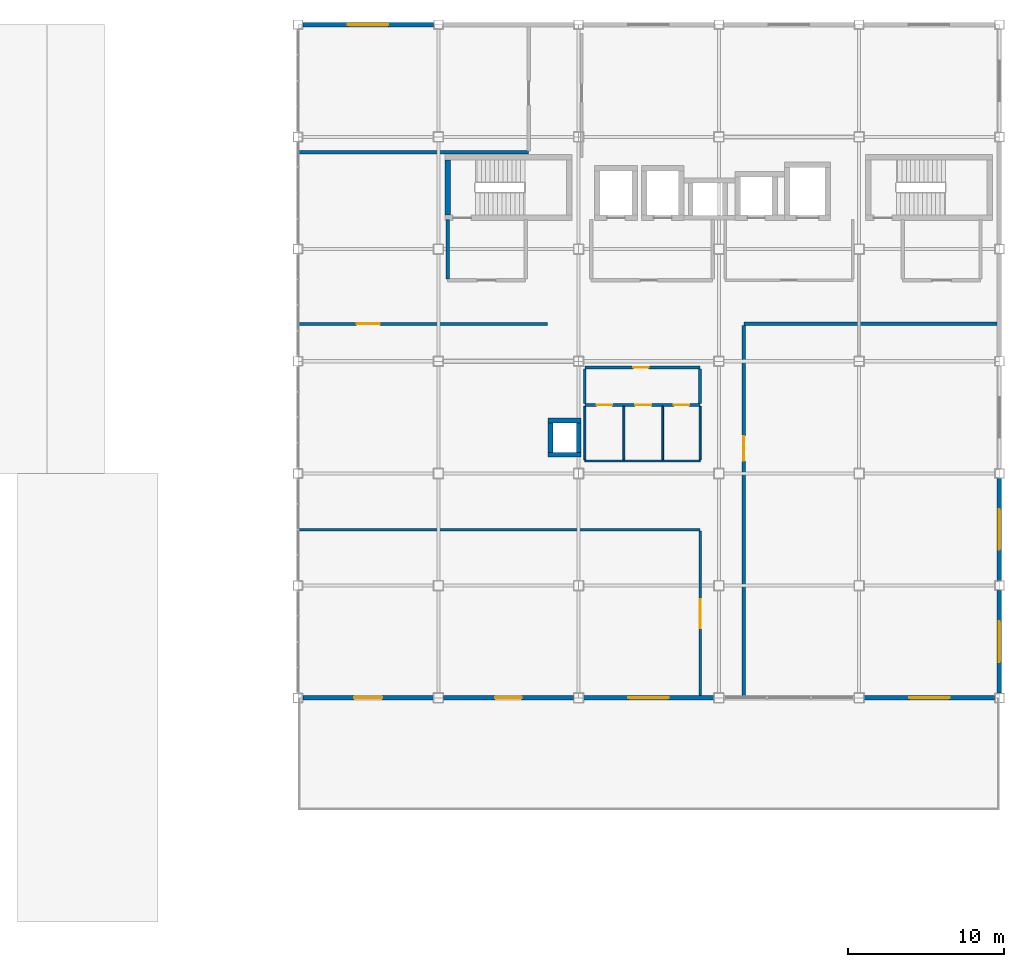
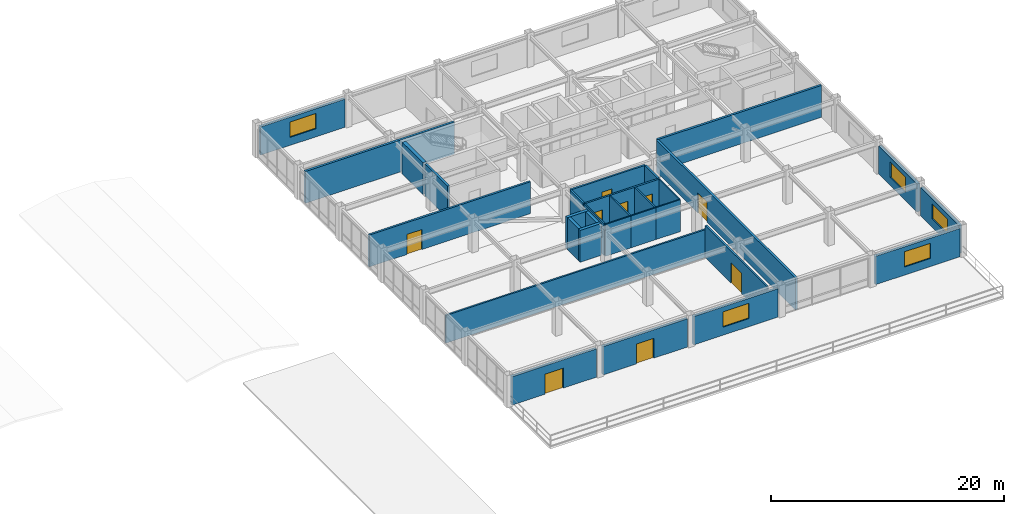
# One storey, part 28 of 34: 30 walls, 9 doors, 5 windows, 14 openings.
"""IFC4 building model written with IfcOpenShell, lengths in metres."""

from ifc_helpers import new_model, si_unit, direction, frame, frame_2d, origin, place, context, subcontext, project, spatial, rectangle, extrude, material, layer, layer_set, type_object, element, fill, save


model = new_model("IFC4")

# Units and contexts
model_context = context("Model", 3, precision=1e-05, world=origin(), true_north=direction((0.0, 1.0)))
body_context = subcontext(model_context, "Body", "Model", "MODEL_VIEW")
ifc_project = project(units=[si_unit("LENGTHUNIT", "METRE"), si_unit("AREAUNIT", "SQUARE_METRE"), si_unit("VOLUMEUNIT", "CUBIC_METRE"), si_unit("PLANEANGLEUNIT", "RADIAN"), si_unit("MASSUNIT", "GRAM", prefix="KILO")], contexts=[model_context])

# Site, building, storey
site_placement = place(None, origin())
site = spatial("IfcSite", under=ifc_project, at=site_placement, CompositionType="ELEMENT")
building_placement = place(site_placement, origin())
building = spatial("IfcBuilding", under=site, at=building_placement, Name="Kazanami Central Library", CompositionType="ELEMENT")
storey_placement = place(building_placement, frame((0.0, 0.0, 17.0)))
storey = spatial("IfcBuildingStorey", under=building, at=storey_placement, Name="L05", CompositionType="ELEMENT", Elevation=17.0)

# Wall, opening, door
ifc_material_1 = material(Name="Concrete Fc36 (36 MPa)", Category="concrete")
ifc_layer_1 = layer(ifc_material_1, 0.199951171875, Name="Concrete Fc36 (36 MPa)")
ifc_material_2 = material(Name="Extruded Polystyrene XPS", Category="earth")
ifc_layer_2 = layer(ifc_material_2, 0.050048828125, Name="Extruded Polystyrene XPS")
ifc_material_3 = material(Name="Honed Inada Granite", Category="masonry")
ifc_layer_3 = layer(ifc_material_3, 0.030029296875, Name="Honed Inada Granite")
ifc_layer_set_1 = layer_set([ifc_layer_1, ifc_layer_2, ifc_layer_3], Name="Concrete Fc36 (36 MPa)")
wall_type_1 = type_object("IfcWallType", Name="WAL-EW-280", PredefinedType="STANDARD", material=ifc_layer_set_1)
wall_1_placement = place(storey_placement, frame((117.300048828125, 50.39990234375, 0.0), z_axis=(0.0, 0.0, 1.0), x_axis=(1.0, 0.0, 0.0)))
wall_1 = element("IfcWall", 1, at=wall_1_placement, inside=storey, type_object=wall_type_1, Name="Exterior Facade Wall EW-280 L05 S-H-13", PredefinedType="STANDARD", context=body_context, shape_type="SweptSolid", body=[
    extrude(rectangle(XDim=8.375, YDim=0.280029296875, at=frame_2d((4.1875, 0.0))), origin(), (0.0, 0.0, 1.0), 2.969970703125),
])
opening_1_placement = place(wall_1_placement, frame((3.28759765625, 0.0, 0.0)))
opening_1 = element("IfcOpeningElement", 2, at=opening_1_placement, cuts=wall_1, Name="Opening ED-T1", PredefinedType="OPENING", context=body_context, shape_type="SweptSolid", body=[
    extrude(rectangle(XDim=1.800048828125, YDim=2.10009765625, at=frame_2d((0.89990234375, 1.050048828125))), frame((0.0, 0.15185546875, 0.0), z_axis=(0.0, -1.0, 0.0), x_axis=(1.0, 0.0, 0.0)), (0.0, 0.0, 1.0), 0.303955078125),
])
ifc_material_4 = material(Name="Anodised Aluminium A6063-T5", Category="aluminium")
door_type_1 = type_object("IfcDoorType", Name="DOR-ED-T1", OperationType="DOUBLE_DOOR_SINGLE_SWING", PredefinedType="DOOR", material=ifc_material_4)
door_1_placement = place(opening_1_placement, frame((1.800048828125, 0.0, 0.0), z_axis=(0.0, 0.0, 1.0), x_axis=(-1.0, 0.0, 0.0)))
door_1 = element("IfcDoor", 3, at=door_1_placement, inside=storey, type_object=door_type_1, Name="Reading Terrace Access Door L05 S-H-13", OperationType="DOUBLE_DOOR_SINGLE_SWING", OverallHeight=2.10009765625, OverallWidth=1.800048828125, PredefinedType="DOOR", context=body_context, shape_type="SweptSolid", body=[
    extrude(rectangle(XDim=1.800048828125, YDim=2.10009765625, at=frame_2d((0.89990234375, 1.050048828125))), frame((0.0, 0.02490234375, 0.0), z_axis=(0.0, -1.0, 0.0), x_axis=(1.0, 0.0, 0.0)), (0.0, 0.0, 1.0), 0.050048828125),
])
fill(opening_1, door_1)

wall_2_placement = place(storey_placement, frame((126.324951171875, 50.39990234375, 0.0), z_axis=(0.0, 0.0, 1.0), x_axis=(1.0, 0.0, 0.0)))
wall_2 = element("IfcWall", 4, at=wall_2_placement, inside=storey, type_object=wall_type_1, Name="Exterior Facade Wall EW-280 L05 S-H-14", PredefinedType="STANDARD", context=body_context, shape_type="SweptSolid", body=[
    extrude(rectangle(XDim=8.35009765625, YDim=0.280029296875, at=frame_2d((4.175048828125, 0.0))), origin(), (0.0, 0.0, 1.0), 2.969970703125),
])
opening_2_placement = place(wall_2_placement, frame((3.324951171875, 0.0, 0.0)))
opening_2 = element("IfcOpeningElement", 5, at=opening_2_placement, cuts=wall_2, Name="Opening ED-T2", PredefinedType="OPENING", context=body_context, shape_type="SweptSolid", body=[
    extrude(rectangle(XDim=1.699951171875, YDim=2.080078125, at=frame_2d((0.85009765625, 1.0400390625))), frame((0.0, 0.15185546875, 0.0), z_axis=(0.0, -1.0, 0.0), x_axis=(1.0, 0.0, 0.0)), (0.0, 0.0, 1.0), 0.303955078125),
])
door_type_2 = type_object("IfcDoorType", Name="DOR-ED-T2", OperationType="DOUBLE_DOOR_SINGLE_SWING", PredefinedType="DOOR", material=ifc_material_4)
door_2_placement = place(opening_2_placement, frame((1.699951171875, 0.0, 0.0), z_axis=(0.0, 0.0, 1.0), x_axis=(-1.0, 0.0, 0.0)))
door_2 = element("IfcDoor", 6, at=door_2_placement, inside=storey, type_object=door_type_2, Name="Reading Terrace Access Door L05 S-H-14", OperationType="DOUBLE_DOOR_SINGLE_SWING", OverallHeight=2.080078125, OverallWidth=1.699951171875, PredefinedType="DOOR", context=body_context, shape_type="SweptSolid", body=[
    extrude(rectangle(XDim=1.699951171875, YDim=2.080078125, at=frame_2d((0.85009765625, 1.0400390625))), frame((0.0, 0.02490234375, 0.0), z_axis=(0.0, -1.0, 0.0), x_axis=(1.0, 0.0, 0.0)), (0.0, 0.0, 1.0), 0.050048828125),
])
fill(opening_2, door_2)

# Wall, opening, window
wall_3_placement = place(storey_placement, frame((135.324951171875, 50.39990234375, 0.0), z_axis=(0.0, 0.0, 1.0), x_axis=(1.0, 0.0, 0.0)))
wall_3 = element("IfcWall", 7, at=wall_3_placement, inside=storey, type_object=wall_type_1, Name="Exterior Facade Wall EW-280 L05 S-H-15", PredefinedType="STANDARD", context=body_context, shape_type="SweptSolid", body=[
    extrude(rectangle(XDim=8.35009765625, YDim=0.280029296875, at=frame_2d((4.175048828125, 0.0))), origin(), (0.0, 0.0, 1.0), 2.969970703125),
])
opening_3_placement = place(wall_3_placement, frame((2.875, 0.0, 0.85009765625)))
opening_3 = element("IfcOpeningElement", 8, at=opening_3_placement, cuts=wall_3, Name="Opening WN-13", PredefinedType="OPENING", context=body_context, shape_type="SweptSolid", body=[
    extrude(rectangle(XDim=2.60009765625, YDim=1.60009765625, at=frame_2d((1.300048828125, 0.800048828125))), frame((0.0, 0.15185546875, 0.0), z_axis=(0.0, -1.0, 0.0), x_axis=(1.0, 0.0, 0.0)), (0.0, 0.0, 1.0), 0.303955078125),
])
ifc_material_5 = material(Name="Low-E Insulated Triple Glass", Category="glass")
window_type = type_object("IfcWindowType", Name="WIN-WN-13", PartitioningType="DOUBLE_PANEL_VERTICAL", PredefinedType="WINDOW", material=ifc_material_5)
window_1_placement = place(opening_3_placement, origin())
window_1 = element("IfcWindow", 9, at=window_1_placement, inside=storey, type_object=window_type, Name="Facade Window WN-13 L05 S-H-15", OverallHeight=1.60009765625, OverallWidth=2.60009765625, PartitioningType="DOUBLE_PANEL_VERTICAL", PredefinedType="WINDOW", context=body_context, shape_type="SweptSolid", body=[
    extrude(rectangle(XDim=2.60009765625, YDim=1.60009765625, at=frame_2d((1.300048828125, 0.800048828125))), frame((0.0, 0.030029296875, 0.0), z_axis=(0.0, -1.0, 0.0), x_axis=(1.0, 0.0, 0.0)), (0.0, 0.0, 1.0), 0.06005859375),
])
fill(opening_3, window_1)

wall_4_placement = place(storey_placement, frame((153.324951171875, 50.39990234375, 0.0), z_axis=(0.0, 0.0, 1.0), x_axis=(1.0, 0.0, 0.0)))
wall_4 = element("IfcWall", 10, at=wall_4_placement, inside=storey, type_object=wall_type_1, Name="Exterior Facade Wall EW-280 L05 S-H-17", PredefinedType="STANDARD", context=body_context, shape_type="SweptSolid", body=[
    extrude(rectangle(XDim=8.375, YDim=0.280029296875, at=frame_2d((4.1875, 0.0))), origin(), (0.0, 0.0, 1.0), 2.969970703125),
])
opening_4_placement = place(wall_4_placement, frame((2.887451171875, 0.0, 0.85009765625)))
opening_4 = element("IfcOpeningElement", 11, at=opening_4_placement, cuts=wall_4, Name="Opening WN-13", PredefinedType="OPENING", context=body_context, shape_type="SweptSolid", body=[
    extrude(rectangle(XDim=2.60009765625, YDim=1.60009765625, at=frame_2d((1.300048828125, 0.800048828125))), frame((0.0, 0.15185546875, 0.0), z_axis=(0.0, -1.0, 0.0), x_axis=(1.0, 0.0, 0.0)), (0.0, 0.0, 1.0), 0.303955078125),
])
window_2_placement = place(opening_4_placement, origin())
window_2 = element("IfcWindow", 12, at=window_2_placement, inside=storey, type_object=window_type, Name="Facade Window WN-13 L05 S-H-17", OverallHeight=1.60009765625, OverallWidth=2.60009765625, PartitioningType="DOUBLE_PANEL_VERTICAL", PredefinedType="WINDOW", context=body_context, shape_type="SweptSolid", body=[
    extrude(rectangle(XDim=2.60009765625, YDim=1.60009765625, at=frame_2d((1.300048828125, 0.800048828125))), frame((0.0, 0.030029296875, 0.0), z_axis=(0.0, -1.0, 0.0), x_axis=(1.0, 0.0, 0.0)), (0.0, 0.0, 1.0), 0.06005859375),
])
fill(opening_4, window_2)

wall_5_placement = place(storey_placement, frame((125.699951171875, 93.60009765625, 0.0), z_axis=(0.0, 0.0, 1.0), x_axis=(-1.0, 0.0, 0.0)))
wall_5 = element("IfcWall", 13, at=wall_5_placement, inside=storey, type_object=wall_type_1, Name="Exterior Facade Wall EW-280 L05 N-O-13", PredefinedType="STANDARD", context=body_context, shape_type="SweptSolid", body=[
    extrude(rectangle(XDim=8.39990234375, YDim=0.280029296875, at=frame_2d((4.199951171875, 0.0))), origin(), (0.0, 0.0, 1.0), 2.949951171875),
])
opening_5_placement = place(wall_5_placement, frame((2.89990234375, 0.0, 0.85009765625)))
opening_5 = element("IfcOpeningElement", 14, at=opening_5_placement, cuts=wall_5, Name="Opening WN-13", PredefinedType="OPENING", context=body_context, shape_type="SweptSolid", body=[
    extrude(rectangle(XDim=2.60009765625, YDim=1.60009765625, at=frame_2d((1.300048828125, 0.800048828125))), frame((0.0, 0.15185546875, 0.0), z_axis=(0.0, -1.0, 0.0), x_axis=(1.0, 0.0, 0.0)), (0.0, 0.0, 1.0), 0.303955078125),
])
window_3_placement = place(opening_5_placement, origin())
window_3 = element("IfcWindow", 15, at=window_3_placement, inside=storey, type_object=window_type, Name="Facade Window WN-13 L05 N-O-13", OverallHeight=1.60009765625, OverallWidth=2.60009765625, PartitioningType="DOUBLE_PANEL_VERTICAL", PredefinedType="WINDOW", context=body_context, shape_type="SweptSolid", body=[
    extrude(rectangle(XDim=2.60009765625, YDim=1.60009765625, at=frame_2d((1.300048828125, 0.800048828125))), frame((0.0, 0.030029296875, 0.0), z_axis=(0.0, -1.0, 0.0), x_axis=(1.0, 0.0, 0.0)), (0.0, 0.0, 1.0), 0.06005859375),
])
fill(opening_5, window_3)

wall_6_placement = place(storey_placement, frame((162.0, 57.300048828125, 0.0), z_axis=(0.0, 0.0, 1.0), x_axis=(0.0, -1.0, 0.0)))
wall_6 = element("IfcWall", 16, at=wall_6_placement, inside=storey, type_object=wall_type_1, Name="Exterior Facade Wall EW-280 L05 E-19-07", PredefinedType="STANDARD", context=body_context, shape_type="SweptSolid", body=[
    extrude(rectangle(XDim=6.60009765625, YDim=0.280029296875, at=frame_2d((3.300048828125, 0.0))), origin(), (0.0, 0.0, 1.0), 2.9599609375),
])
opening_6_placement = place(wall_6_placement, frame((2.0, 0.0, 0.85009765625)))
opening_6 = element("IfcOpeningElement", 17, at=opening_6_placement, cuts=wall_6, Name="Opening WN-13", PredefinedType="OPENING", context=body_context, shape_type="SweptSolid", body=[
    extrude(rectangle(XDim=2.60009765625, YDim=1.60009765625, at=frame_2d((1.300048828125, 0.800048828125))), frame((0.0, 0.15185546875, 0.0), z_axis=(0.0, -1.0, 0.0), x_axis=(1.0, 0.0, 0.0)), (0.0, 0.0, 1.0), 0.303955078125),
])
window_4_placement = place(opening_6_placement, origin())
window_4 = element("IfcWindow", 18, at=window_4_placement, inside=storey, type_object=window_type, Name="Facade Window WN-13 L05 E-19-07", OverallHeight=1.60009765625, OverallWidth=2.60009765625, PartitioningType="DOUBLE_PANEL_VERTICAL", PredefinedType="WINDOW", context=body_context, shape_type="SweptSolid", body=[
    extrude(rectangle(XDim=2.60009765625, YDim=1.60009765625, at=frame_2d((1.300048828125, 0.800048828125))), frame((0.0, 0.030029296875, 0.0), z_axis=(0.0, -1.0, 0.0), x_axis=(1.0, 0.0, 0.0)), (0.0, 0.0, 1.0), 0.06005859375),
])
fill(opening_6, window_4)

wall_7_placement = place(storey_placement, frame((162.0, 64.5, 0.0), z_axis=(0.0, 0.0, 1.0), x_axis=(0.0, -1.0, 0.0)))
wall_7 = element("IfcWall", 19, at=wall_7_placement, inside=storey, type_object=wall_type_1, Name="Exterior Facade Wall EW-280 L05 E-19-08", PredefinedType="STANDARD", context=body_context, shape_type="SweptSolid", body=[
    extrude(rectangle(XDim=6.60009765625, YDim=0.280029296875, at=frame_2d((3.300048828125, 0.0))), origin(), (0.0, 0.0, 1.0), 2.93994140625),
])
opening_7_placement = place(wall_7_placement, frame((2.0, 0.0, 0.85009765625)))
opening_7 = element("IfcOpeningElement", 20, at=opening_7_placement, cuts=wall_7, Name="Opening WN-13", PredefinedType="OPENING", context=body_context, shape_type="SweptSolid", body=[
    extrude(rectangle(XDim=2.60009765625, YDim=1.60009765625, at=frame_2d((1.300048828125, 0.800048828125))), frame((0.0, 0.15185546875, 0.0), z_axis=(0.0, -1.0, 0.0), x_axis=(1.0, 0.0, 0.0)), (0.0, 0.0, 1.0), 0.303955078125),
])
window_5_placement = place(opening_7_placement, origin())
window_5 = element("IfcWindow", 21, at=window_5_placement, inside=storey, type_object=window_type, Name="Facade Window WN-13 L05 E-19-08", OverallHeight=1.60009765625, OverallWidth=2.60009765625, PartitioningType="DOUBLE_PANEL_VERTICAL", PredefinedType="WINDOW", context=body_context, shape_type="SweptSolid", body=[
    extrude(rectangle(XDim=2.60009765625, YDim=1.60009765625, at=frame_2d((1.300048828125, 0.800048828125))), frame((0.0, 0.030029296875, 0.0), z_axis=(0.0, -1.0, 0.0), x_axis=(1.0, 0.0, 0.0)), (0.0, 0.0, 1.0), 0.06005859375),
])
fill(opening_7, window_5)

# Wall
ifc_material_6 = material(Name="Fire-Resistant Gypsum Board GB-F", Category="gypsum")
ifc_layer_4 = layer(ifc_material_6, 0.1650390625, Name="Fire-Resistant Gypsum Board GB-F")
ifc_layer_set_2 = layer_set([ifc_layer_4], Name="Fire-Resistant Gypsum Board GB-F")
wall_type_2 = type_object("IfcWallType", Name="WAL-FW-165", PredefinedType="PARTITIONING", material=ifc_layer_set_2)
wall_8_placement = place(storey_placement, frame((117.034912109375, 61.199951171875, 0.0), z_axis=(0.0, 0.0, 1.0), x_axis=(1.0, 0.0, 0.0)))
element("IfcWall", 22, at=wall_8_placement, inside=storey, type_object=wall_type_2, Name="Interior Partition FW-165 L05 RM-12 (North)", PredefinedType="PARTITIONING", context=body_context, shape_type="SweptSolid", body=[
    extrude(rectangle(XDim=25.76513671875, YDim=0.1650390625, at=frame_2d((12.882568359375, 0.0))), origin(), (0.0, 0.0, 1.0), 2.909912109375),
])

# Wall, opening, door
wall_9_placement = place(storey_placement, frame((142.800048828125, 50.544921875, 0.0), z_axis=(0.0, 0.0, 1.0), x_axis=(0.0, 1.0, 0.0)))
wall_9 = element("IfcWall", 23, at=wall_9_placement, inside=storey, type_object=wall_type_2, Name="Interior Partition FW-165 L05 RM-12 (East)", PredefinedType="PARTITIONING", context=body_context, shape_type="SweptSolid", body=[
    extrude(rectangle(XDim=10.565185546875, YDim=0.1650390625, at=frame_2d((5.28271484375, 0.0))), origin(), (0.0, 0.0, 1.0), 3.360107421875),
])
opening_8_placement = place(wall_9_placement, frame((4.330078125, 0.0, 0.0)))
opening_8 = element("IfcOpeningElement", 24, at=opening_8_placement, cuts=wall_9, Name="Opening FD30-5", PredefinedType="OPENING", context=body_context, shape_type="SweptSolid", body=[
    extrude(rectangle(XDim=1.85009765625, YDim=2.1201171875, at=frame_2d((0.925048828125, 1.06005859375))), frame((0.0, 0.094482421875, 0.0), z_axis=(0.0, -1.0, 0.0), x_axis=(1.0, 0.0, 0.0)), (0.0, 0.0, 1.0), 0.18896484375),
])
ifc_material_7 = material(Name="Cold-Rolled Steel SPCC", Category="steel")
door_type_3 = type_object("IfcDoorType", Name="DOR-FD30-5", OperationType="DOUBLE_DOOR_SINGLE_SWING", PredefinedType="DOOR", material=ifc_material_7)
door_3_placement = place(opening_8_placement, origin())
door_3 = element("IfcDoor", 25, at=door_3_placement, inside=storey, type_object=door_type_3, Name="Interior Door FD30-5 L05 RM-12", OperationType="DOUBLE_DOOR_SINGLE_SWING", OverallHeight=2.1201171875, OverallWidth=1.85009765625, PredefinedType="DOOR", context=body_context, shape_type="SweptSolid", body=[
    extrude(rectangle(XDim=1.85009765625, YDim=2.1201171875, at=frame_2d((0.925048828125, 1.06005859375))), frame((0.0, 0.02490234375, 0.0), z_axis=(0.0, -1.0, 0.0), x_axis=(1.0, 0.0, 0.0)), (0.0, 0.0, 1.0), 0.050048828125),
])
fill(opening_8, door_3)

# Wall, openings, doors
ifc_layer_5 = layer(ifc_material_6, 0.179931640625, Name="Fire-Resistant Gypsum Board GB-F")
ifc_layer_set_3 = layer_set([ifc_layer_5], Name="Fire-Resistant Gypsum Board GB-F")
wall_type_3 = type_object("IfcWallType", Name="WAL-FW-180", PredefinedType="PARTITIONING", material=ifc_layer_set_3)
wall_10_placement = place(storey_placement, frame((135.39990234375, 69.199951171875, 0.0), z_axis=(0.0, 0.0, 1.0), x_axis=(1.0, 0.0, 0.0)))
wall_10 = element("IfcWall", 26, at=wall_10_placement, inside=storey, type_object=wall_type_3, Name="Interior Partition FW-180 L05 WC-V2-LOB (South)", PredefinedType="PARTITIONING", context=body_context, shape_type="SweptSolid", body=[
    extrude(rectangle(XDim=7.400146484375, YDim=0.179931640625, at=frame_2d((3.7001953125, 0.0))), origin(), (0.0, 0.0, 1.0), 3.340087890625),
])
opening_9_placement = place(wall_10_placement, frame((0.75, 0.0, 0.0)))
opening_9 = element("IfcOpeningElement", 27, at=opening_9_placement, cuts=wall_10, Name="Opening FD30-2", PredefinedType="OPENING", context=body_context, shape_type="SweptSolid", body=[
    extrude(rectangle(XDim=1.0, YDim=2.080078125, at=frame_2d((0.5, 1.0400390625))), frame((0.0, 0.10205078125, 0.0), z_axis=(0.0, -1.0, 0.0), x_axis=(1.0, 0.0, 0.0)), (0.0, 0.0, 1.0), 0.203857421875),
])
opening_10_placement = place(wall_10_placement, frame((3.22509765625, 0.0, 0.0)))
opening_10 = element("IfcOpeningElement", 28, at=opening_10_placement, cuts=wall_10, Name="Opening FD30-1", PredefinedType="OPENING", context=body_context, shape_type="SweptSolid", body=[
    extrude(rectangle(XDim=1.050048828125, YDim=2.10009765625, at=frame_2d((0.52490234375, 1.050048828125))), frame((0.0, 0.10205078125, 0.0), z_axis=(0.0, -1.0, 0.0), x_axis=(1.0, 0.0, 0.0)), (0.0, 0.0, 1.0), 0.203857421875),
])
opening_11_placement = place(wall_10_placement, frame((5.7099609375, 0.0, 0.0)))
opening_11 = element("IfcOpeningElement", 29, at=opening_11_placement, cuts=wall_10, Name="Opening FD30-3", PredefinedType="OPENING", context=body_context, shape_type="SweptSolid", body=[
    extrude(rectangle(XDim=0.97998046875, YDim=2.02001953125, at=frame_2d((0.489990234375, 1.010009765625))), frame((0.0, 0.10205078125, 0.0), z_axis=(0.0, -1.0, 0.0), x_axis=(1.0, 0.0, 0.0)), (0.0, 0.0, 1.0), 0.203857421875),
])
door_type_4 = type_object("IfcDoorType", Name="DOR-FD30-1", OperationType="NOTDEFINED", PredefinedType="DOOR", material=ifc_material_7)
door_4_placement = place(opening_10_placement, origin())
door_4 = element("IfcDoor", 30, at=door_4_placement, inside=storey, type_object=door_type_4, Name="Interior Door FD30-1 L05 WC-V2-F", OperationType="SINGLE_SWING_RIGHT", OverallHeight=2.10009765625, OverallWidth=1.050048828125, PredefinedType="DOOR", context=body_context, shape_type="SweptSolid", body=[
    extrude(rectangle(XDim=1.050048828125, YDim=2.10009765625, at=frame_2d((0.52490234375, 1.050048828125))), frame((0.0, 0.02490234375, 0.0), z_axis=(0.0, -1.0, 0.0), x_axis=(1.0, 0.0, 0.0)), (0.0, 0.0, 1.0), 0.050048828125),
])
fill(opening_10, door_4)
door_type_5 = type_object("IfcDoorType", Name="DOR-FD30-2", OperationType="NOTDEFINED", PredefinedType="DOOR", material=ifc_material_7)
door_5_placement = place(opening_9_placement, origin())
door_5 = element("IfcDoor", 31, at=door_5_placement, inside=storey, type_object=door_type_5, Name="Interior Door FD30-2 L05 WC-V2-M", OperationType="SINGLE_SWING_LEFT", OverallHeight=2.080078125, OverallWidth=1.0, PredefinedType="DOOR", context=body_context, shape_type="SweptSolid", body=[
    extrude(rectangle(XDim=1.0, YDim=2.080078125, at=frame_2d((0.5, 1.0400390625))), frame((0.0, 0.02490234375, 0.0), z_axis=(0.0, -1.0, 0.0), x_axis=(1.0, 0.0, 0.0)), (0.0, 0.0, 1.0), 0.050048828125),
])
fill(opening_9, door_5)
door_type_6 = type_object("IfcDoorType", Name="DOR-FD30-3", OperationType="NOTDEFINED", PredefinedType="DOOR", material=ifc_material_7)
door_6_placement = place(opening_11_placement, origin())
door_6 = element("IfcDoor", 32, at=door_6_placement, inside=storey, type_object=door_type_6, Name="Interior Door FD30-3 L05 WC-V2-ACC", OperationType="SINGLE_SWING_LEFT", OverallHeight=2.02001953125, OverallWidth=0.97998046875, PredefinedType="DOOR", context=body_context, shape_type="SweptSolid", body=[
    extrude(rectangle(XDim=0.97998046875, YDim=2.02001953125, at=frame_2d((0.489990234375, 1.010009765625))), frame((0.0, 0.02490234375, 0.0), z_axis=(0.0, -1.0, 0.0), x_axis=(1.0, 0.0, 0.0)), (0.0, 0.0, 1.0), 0.050048828125),
])
fill(opening_11, door_6)

# Wall, opening, door
wall_11_placement = place(storey_placement, frame((135.39990234375, 71.60009765625, 0.0), z_axis=(0.0, 0.0, 1.0), x_axis=(1.0, 0.0, 0.0)))
wall_11 = element("IfcWall", 33, at=wall_11_placement, inside=storey, type_object=wall_type_3, Name="Interior Partition FW-180 L05 WC-V2-LOB (North)", PredefinedType="PARTITIONING", context=body_context, shape_type="SweptSolid", body=[
    extrude(rectangle(XDim=7.400146484375, YDim=0.179931640625, at=frame_2d((3.7001953125, 0.0))), origin(), (0.0, 0.0, 1.0), 3.340087890625),
])
opening_12_placement = place(wall_11_placement, frame((3.110107421875, 0.0, 0.0)))
opening_12 = element("IfcOpeningElement", 34, at=opening_12_placement, cuts=wall_11, Name="Opening FD30-3", PredefinedType="OPENING", context=body_context, shape_type="SweptSolid", body=[
    extrude(rectangle(XDim=0.97998046875, YDim=2.02001953125, at=frame_2d((0.489990234375, 1.010009765625))), frame((0.0, 0.10205078125, 0.0), z_axis=(0.0, -1.0, 0.0), x_axis=(1.0, 0.0, 0.0)), (0.0, 0.0, 1.0), 0.203857421875),
])
door_7_placement = place(opening_12_placement, origin())
door_7 = element("IfcDoor", 35, at=door_7_placement, inside=storey, type_object=door_type_6, Name="Interior Door FD30-3 L05 WC-V2-LOB", OperationType="SINGLE_SWING_RIGHT", OverallHeight=2.02001953125, OverallWidth=0.97998046875, PredefinedType="DOOR", context=body_context, shape_type="SweptSolid", body=[
    extrude(rectangle(XDim=0.97998046875, YDim=2.02001953125, at=frame_2d((0.489990234375, 1.010009765625))), frame((0.0, 0.02490234375, 0.0), z_axis=(0.0, -1.0, 0.0), x_axis=(1.0, 0.0, 0.0)), (0.0, 0.0, 1.0), 0.050048828125),
])
fill(opening_12, door_7)

# Walls
for number, where, z_axis, x_axis, name in (
    (36, (135.39990234375, 69.2900390625, 0.0), (0.0, 0.0, 1.0), (0.0, 1.0, 0.0), "Interior Partition FW-180 L05 WC-V2-LOB (West)"),
    (37, (142.800048828125, 69.2900390625, 0.0), (0.0, 0.0, 1.0), (0.0, 1.0, 0.0), "Interior Partition FW-180 L05 WC-V2-LOB (East)"),
):
    element("IfcWall", number, at=place(storey_placement, frame(where, z_axis=z_axis, x_axis=x_axis)), inside=storey, type_object=wall_type_3, Name=name, PredefinedType="PARTITIONING", context=body_context, shape_type="SweptSolid", body=[
        extrude(rectangle(XDim=2.219970703125, YDim=0.179931640625, at=frame_2d((1.10986328125, 0.0))), origin(), (0.0, 0.0, 1.0), 3.340087890625),
    ])

# Wall, opening, door
ifc_layer_6 = layer(ifc_material_6, 0.199951171875, Name="Fire-Resistant Gypsum Board GB-F")
ifc_layer_set_4 = layer_set([ifc_layer_6], Name="Fire-Resistant Gypsum Board GB-F")
wall_type_4 = type_object("IfcWallType", Name="WAL-FW-200", PredefinedType="PARTITIONING", material=ifc_layer_set_4)
wall_12_placement = place(storey_placement, frame((117.034912109375, 74.39990234375, 0.0), z_axis=(0.0, 0.0, 1.0), x_axis=(1.0, 0.0, 0.0)))
wall_12 = element("IfcWall", 38, at=wall_12_placement, inside=storey, type_object=wall_type_4, Name="Interior Partition FW-200 L05 RM-13 (North)", PredefinedType="PARTITIONING", context=body_context, shape_type="SweptSolid", body=[
    extrude(rectangle(XDim=15.965087890625, YDim=0.199951171875, at=frame_2d((7.982421875, 0.0))), origin(), (0.0, 0.0, 1.0), 3.340087890625),
])
opening_13_placement = place(wall_12_placement, frame((3.715087890625, 0.0, 0.0)))
opening_13 = element("IfcOpeningElement", 39, at=opening_13_placement, cuts=wall_12, Name="Opening FD60-6", PredefinedType="OPENING", context=body_context, shape_type="SweptSolid", body=[
    extrude(rectangle(XDim=1.5, YDim=2.10009765625, at=frame_2d((0.75, 1.050048828125))), frame((0.0, 0.11181640625, 0.0), z_axis=(0.0, -1.0, 0.0), x_axis=(1.0, 0.0, 0.0)), (0.0, 0.0, 1.0), 0.223876953125),
])
door_type_7 = type_object("IfcDoorType", Name="DOR-FD60-6", OperationType="DOUBLE_DOOR_SINGLE_SWING", PredefinedType="DOOR", material=ifc_material_7)
door_8_placement = place(opening_13_placement, origin())
door_8 = element("IfcDoor", 40, at=door_8_placement, inside=storey, type_object=door_type_7, Name="Interior Door FD60-6 L05 RM-13", OperationType="DOUBLE_DOOR_SINGLE_SWING", OverallHeight=2.10009765625, OverallWidth=1.5, PredefinedType="DOOR", context=body_context, shape_type="SweptSolid", body=[
    extrude(rectangle(XDim=1.5, YDim=2.10009765625, at=frame_2d((0.75, 1.050048828125))), frame((0.0, 0.02490234375, 0.0), z_axis=(0.0, -1.0, 0.0), x_axis=(1.0, 0.0, 0.0)), (0.0, 0.0, 1.0), 0.050048828125),
])
fill(opening_13, door_8)

# Walls
ifc_layer_7 = layer(ifc_material_6, 0.219970703125, Name="Fire-Resistant Gypsum Board GB-F")
ifc_layer_set_5 = layer_set([ifc_layer_7], Name="Fire-Resistant Gypsum Board GB-F")
wall_type_5 = type_object("IfcWallType", Name="WAL-FW-220", PredefinedType="PARTITIONING", material=ifc_layer_set_5)
wall_13_placement = place(storey_placement, frame((126.60009765625, 77.2900390625, 0.0), z_axis=(0.0, 0.0, 1.0), x_axis=(0.0, 1.0, 0.0)))
element("IfcWall", 41, at=wall_13_placement, inside=storey, type_object=wall_type_5, Name="Interior Partition FW-220 L05 VEST-ST-01 (West)", PredefinedType="PARTITIONING", context=body_context, shape_type="SweptSolid", body=[
    extrude(rectangle(XDim=3.820068359375, YDim=0.219970703125, at=frame_2d((1.91015625, 0.0))), origin(), (0.0, 0.0, 1.0), 3.340087890625),
])
wall_14_placement = place(storey_placement, frame((145.60009765625, 74.39990234375, 0.0), z_axis=(0.0, 0.0, 1.0), x_axis=(1.0, 0.0, 0.0)))
element("IfcWall", 42, at=wall_14_placement, inside=storey, type_object=wall_type_5, Name="Interior Partition FW-220 L05 RM-14 (North)", PredefinedType="PARTITIONING", context=body_context, shape_type="SweptSolid", body=[
    extrude(rectangle(XDim=16.2548828125, YDim=0.219970703125, at=frame_2d((8.12744140625, 0.0))), origin(), (0.0, 0.0, 1.0), 3.340087890625),
])

# Wall, opening, door
wall_15_placement = place(storey_placement, frame((145.60009765625, 50.43505859375, 0.0), z_axis=(0.0, 0.0, 1.0), x_axis=(0.0, 1.0, 0.0)))
wall_15 = element("IfcWall", 43, at=wall_15_placement, inside=storey, type_object=wall_type_5, Name="Interior Partition FW-220 L05 RM-14 (West)", PredefinedType="PARTITIONING", context=body_context, shape_type="SweptSolid", body=[
    extrude(rectangle(XDim=23.875, YDim=0.219970703125, at=frame_2d((11.9375, 0.0))), origin(), (0.0, 0.0, 1.0), 3.340087890625),
])
opening_14_placement = place(wall_15_placement, frame((15.1650390625, 0.0, 0.0)))
opening_14 = element("IfcOpeningElement", 44, at=opening_14_placement, cuts=wall_15, Name="Opening FD60-4", PredefinedType="OPENING", context=body_context, shape_type="SweptSolid", body=[
    extrude(rectangle(XDim=1.60009765625, YDim=2.1201171875, at=frame_2d((0.800048828125, 1.06005859375))), frame((0.0, 0.1220703125, 0.0), z_axis=(0.0, -1.0, 0.0), x_axis=(1.0, 0.0, 0.0)), (0.0, 0.0, 1.0), 0.243896484375),
])
door_type_8 = type_object("IfcDoorType", Name="DOR-FD60-4", OperationType="DOUBLE_DOOR_SINGLE_SWING", PredefinedType="DOOR", material=ifc_material_7)
door_9_placement = place(opening_14_placement, origin())
door_9 = element("IfcDoor", 45, at=door_9_placement, inside=storey, type_object=door_type_8, Name="Interior Door FD60-4 L05 RM-14", OperationType="DOUBLE_DOOR_SINGLE_SWING", OverallHeight=2.1201171875, OverallWidth=1.60009765625, PredefinedType="DOOR", context=body_context, shape_type="SweptSolid", body=[
    extrude(rectangle(XDim=1.60009765625, YDim=2.1201171875, at=frame_2d((0.800048828125, 1.06005859375))), frame((0.0, 0.02490234375, 0.0), z_axis=(0.0, -1.0, 0.0), x_axis=(1.0, 0.0, 0.0)), (0.0, 0.0, 1.0), 0.050048828125),
])
fill(opening_14, door_9)

# Walls
wall_16_placement = place(storey_placement, frame((117.034912109375, 85.39990234375, 0.0), z_axis=(0.0, 0.0, 1.0), x_axis=(1.0, 0.0, 0.0)))
element("IfcWall", 46, at=wall_16_placement, inside=storey, type_object=wall_type_5, Name="Interior Partition FW-220 L05 RM-15 (South)", PredefinedType="PARTITIONING", context=body_context, shape_type="SweptSolid", body=[
    extrude(rectangle(XDim=14.76513671875, YDim=0.219970703125, at=frame_2d((7.382568359375, 0.0))), origin(), (0.0, 0.0, 1.0), 3.340087890625),
])
ifc_material_8 = material(Name="Gypsum Plasterboard GB-R", Category="gypsum")
ifc_layer_8 = layer(ifc_material_8, 0.125, Name="Gypsum Plasterboard GB-R")
ifc_layer_set_6 = layer_set([ifc_layer_8], Name="Gypsum Plasterboard GB-R")
wall_type_6 = type_object("IfcWallType", Name="WAL-PW-125", PredefinedType="PARTITIONING", material=ifc_layer_set_6)
wall_17_placement = place(storey_placement, frame((135.39990234375, 65.60009765625, 0.0), z_axis=(0.0, 0.0, 1.0), x_axis=(1.0, 0.0, 0.0)))
element("IfcWall", 47, at=wall_17_placement, inside=storey, type_object=wall_type_6, Name="Interior Partition PW-125 L05 WC-V2-M (South)", PredefinedType="PARTITIONING", context=body_context, shape_type="SweptSolid", body=[
    extrude(rectangle(XDim=2.5, YDim=0.125, at=frame_2d((1.25, 0.0))), origin(), (0.0, 0.0, 1.0), 3.340087890625),
])
for number, where, z_axis, x_axis, name in (
    (48, (135.39990234375, 65.68994140625, 0.0), (0.0, 0.0, 1.0), (0.0, 1.0, 0.0), "Interior Partition PW-125 L05 WC-V2-M (West)"),
    (49, (137.89990234375, 65.68994140625, 0.0), (0.0, 0.0, 1.0), (0.0, 1.0, 0.0), "Interior Partition PW-125 L05 WC-V2-M (East)"),
):
    element("IfcWall", number, at=place(storey_placement, frame(where, z_axis=z_axis, x_axis=x_axis)), inside=storey, type_object=wall_type_6, Name=name, PredefinedType="PARTITIONING", context=body_context, shape_type="SweptSolid", body=[
        extrude(rectangle(XDim=3.420166015625, YDim=0.125, at=frame_2d((1.7099609375, 0.0))), origin(), (0.0, 0.0, 1.0), 3.340087890625),
    ])
wall_18_placement = place(storey_placement, frame((137.89990234375, 65.60009765625, 0.0), z_axis=(0.0, 0.0, 1.0), x_axis=(1.0, 0.0, 0.0)))
element("IfcWall", 50, at=wall_18_placement, inside=storey, type_object=wall_type_6, Name="Interior Partition PW-125 L05 WC-V2-F (South)", PredefinedType="PARTITIONING", context=body_context, shape_type="SweptSolid", body=[
    extrude(rectangle(XDim=2.5, YDim=0.125, at=frame_2d((1.25, 0.0))), origin(), (0.0, 0.0, 1.0), 3.340087890625),
])
wall_19_placement = place(storey_placement, frame((140.39990234375, 65.68994140625, 0.0), z_axis=(0.0, 0.0, 1.0), x_axis=(0.0, 1.0, 0.0)))
element("IfcWall", 51, at=wall_19_placement, inside=storey, type_object=wall_type_6, Name="Interior Partition PW-125 L05 WC-V2-F (East)", PredefinedType="PARTITIONING", context=body_context, shape_type="SweptSolid", body=[
    extrude(rectangle(XDim=3.420166015625, YDim=0.125, at=frame_2d((1.7099609375, 0.0))), origin(), (0.0, 0.0, 1.0), 3.340087890625),
])
wall_20_placement = place(storey_placement, frame((140.39990234375, 65.60009765625, 0.0), z_axis=(0.0, 0.0, 1.0), x_axis=(1.0, 0.0, 0.0)))
element("IfcWall", 52, at=wall_20_placement, inside=storey, type_object=wall_type_6, Name="Interior Partition PW-125 L05 WC-V2-ACC (South)", PredefinedType="PARTITIONING", context=body_context, shape_type="SweptSolid", body=[
    extrude(rectangle(XDim=2.400146484375, YDim=0.125, at=frame_2d((1.2001953125, 0.0))), origin(), (0.0, 0.0, 1.0), 3.340087890625),
])
wall_21_placement = place(storey_placement, frame((142.800048828125, 65.68994140625, 0.0), z_axis=(0.0, 0.0, 1.0), x_axis=(0.0, 1.0, 0.0)))
element("IfcWall", 53, at=wall_21_placement, inside=storey, type_object=wall_type_6, Name="Interior Partition PW-125 L05 WC-V2-ACC (East)", PredefinedType="PARTITIONING", context=body_context, shape_type="SweptSolid", body=[
    extrude(rectangle(XDim=3.420166015625, YDim=0.125, at=frame_2d((1.7099609375, 0.0))), origin(), (0.0, 0.0, 1.0), 3.340087890625),
])
ifc_layer_9 = layer(ifc_material_1, 0.300048828125, Name="Concrete Fc36 (36 MPa)")
ifc_layer_set_7 = layer_set([ifc_layer_9], Name="Concrete Fc36 (36 MPa)")
wall_type_7 = type_object("IfcWallType", Name="WAL-SW-300", PredefinedType="SHEAR", material=ifc_layer_set_7)
for number, where, z_axis, x_axis, name in (
    (54, (133.050048828125, 66.0, 0.0), (0.0, 0.0, 1.0), (1.0, 0.0, 0.0), "Service Riser Wall RSR-V2-B S L05"),
    (55, (133.050048828125, 68.199951171875, 0.0), (0.0, 0.0, 1.0), (1.0, 0.0, 0.0), "Service Riser Wall RSR-V2-B N L05"),
):
    element("IfcWall", number, at=place(storey_placement, frame(where, z_axis=z_axis, x_axis=x_axis)), inside=storey, type_object=wall_type_7, Name=name, PredefinedType="SHEAR", context=body_context, shape_type="SweptSolid", body=[
        extrude(rectangle(XDim=2.099853515625, YDim=0.300048828125, at=frame_2d((1.0498046875, 0.0))), origin(), (0.0, 0.0, 1.0), 3.340087890625),
    ])
for number, where, z_axis, x_axis, name in (
    (56, (133.199951171875, 66.14990234375, 0.0), (0.0, 0.0, 1.0), (0.0, 1.0, 0.0), "Service Riser Wall RSR-V2-B W L05"),
    (57, (135.0, 66.14990234375, 0.0), (0.0, 0.0, 1.0), (0.0, 1.0, 0.0), "Service Riser Wall RSR-V2-B E L05"),
):
    element("IfcWall", number, at=place(storey_placement, frame(where, z_axis=z_axis, x_axis=x_axis)), inside=storey, type_object=wall_type_7, Name=name, PredefinedType="SHEAR", context=body_context, shape_type="SweptSolid", body=[
        extrude(rectangle(XDim=1.900146484375, YDim=0.300048828125, at=frame_2d((0.9501953125, 0.0))), origin(), (0.0, 0.0, 1.0), 3.340087890625),
    ])
ifc_layer_10 = layer(ifc_material_1, 0.35009765625, Name="Concrete Fc36 (36 MPa)")
ifc_layer_set_8 = layer_set([ifc_layer_10], Name="Concrete Fc36 (36 MPa)")
wall_type_8 = type_object("IfcWallType", Name="WAL-SW-350", PredefinedType="SHEAR", material=ifc_layer_set_8)
wall_22_placement = place(storey_placement, frame((126.60009765625, 81.375, 0.0), z_axis=(0.0, 0.0, 1.0), x_axis=(0.0, 1.0, 0.0)))
element("IfcWall", 58, at=wall_22_placement, inside=storey, type_object=wall_type_8, Name="Stair Core Wall ST-01 West L05", PredefinedType="SHEAR", context=body_context, shape_type="SweptSolid", body=[
    extrude(rectangle(XDim=3.550048828125, YDim=0.35009765625, at=frame_2d((1.77490234375, 0.0))), origin(), (0.0, 0.0, 1.0), 3.340087890625),
])

save(model, "model.ifc")
